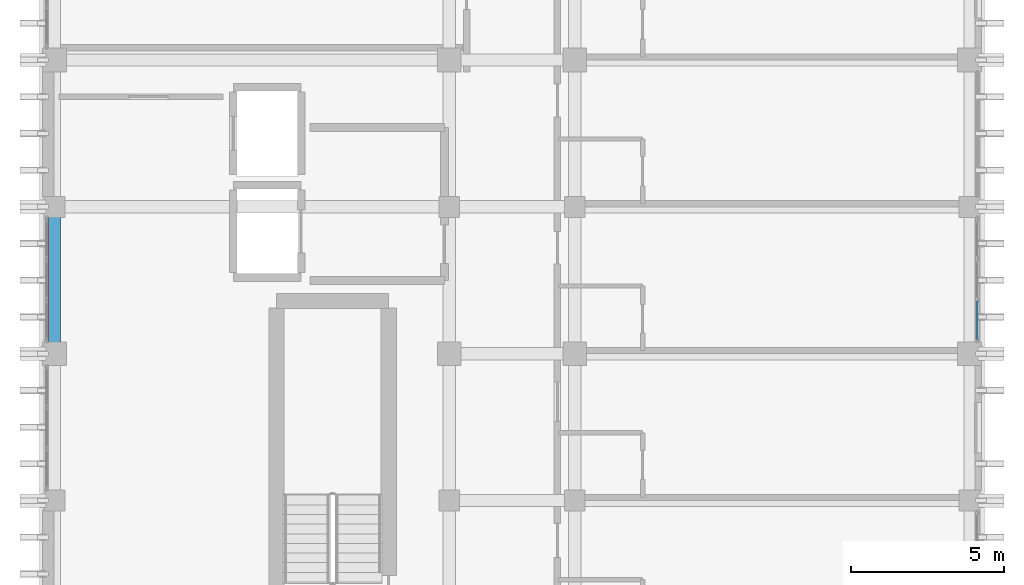
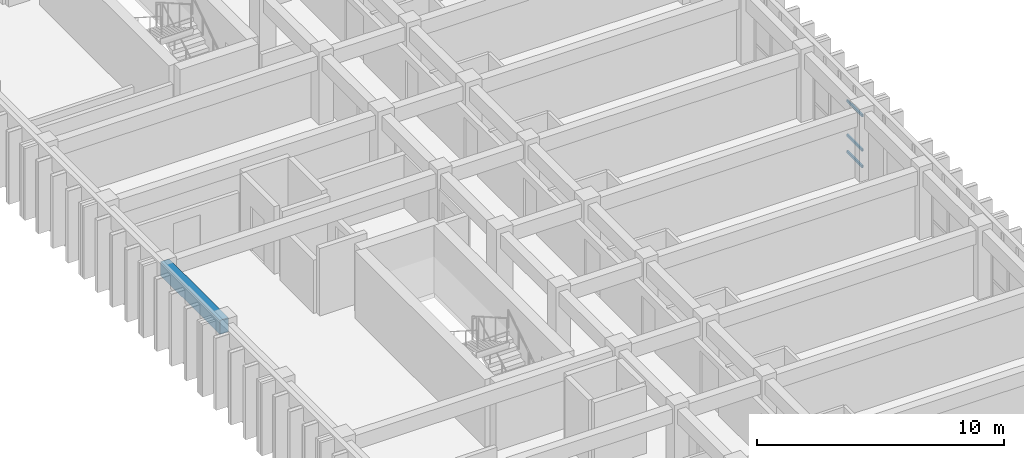
# One storey, part 33 of 68: 3 members, 1 beam, 1 element without a shape of its own.
"""IFC4 building model written with IfcOpenShell, lengths in metres."""

from ifc_helpers import new_model, si_unit, direction, frame, origin, origin_2d, place, context, subcontext, project, spatial, rectangle, hollow_rectangle, extrude, material, layer, layer_set, material_profile, profile_set, type_object, element, aggregate, save


model = new_model("IFC4")

# Units and contexts
model_context = context("Model", 3, precision=1e-05, world=origin(), true_north=direction((0.0, 1.0)))
body_context = subcontext(model_context, "Body", "Model", "MODEL_VIEW")
ifc_project = project(units=[si_unit("LENGTHUNIT", "METRE"), si_unit("AREAUNIT", "SQUARE_METRE"), si_unit("VOLUMEUNIT", "CUBIC_METRE"), si_unit("PLANEANGLEUNIT", "RADIAN"), si_unit("MASSUNIT", "GRAM", prefix="KILO")], contexts=[model_context])

# Site, building, storey
site_placement = place(None, origin())
site = spatial("IfcSite", under=ifc_project, at=site_placement, CompositionType="ELEMENT")
building_placement = place(site_placement, origin())
building = spatial("IfcBuilding", under=site, at=building_placement, Name="Nakhvara Creek Congress Hotel", CompositionType="ELEMENT")
storey_placement = place(building_placement, frame((0.0, 0.0, 24.60009765625)))
storey = spatial("IfcBuildingStorey", under=building, at=storey_placement, Name="L05", CompositionType="ELEMENT", Elevation=24.60009765625)

# Beam
ifc_material_1 = material(Name="Concrete C40/50", Category="concrete")
ifc_material_profile_1 = material_profile(ifc_material_1, rectangle(XDim=0.39990234375, YDim=0.699951171875, at=origin_2d()), Name="RC-BM 400x700", Category="LoadBearing")
ifc_profile_set_1 = profile_set([ifc_material_profile_1], Name="Concrete C40/50")
beam_type = type_object("IfcBeamType", Name="BM-RC-400X700", PredefinedType="BEAM", material=ifc_profile_set_1)
beam_placement = place(storey_placement, frame((149.449951171875, 86.39990234375, 2.989990234375), z_axis=(0.0, 1.0, 0.0), x_axis=(-1.0, 0.0, 0.0)))
element("IfcBeam", 1, at=beam_placement, inside=storey, type_object=beam_type, Name="Beam B05-L05-2076", PredefinedType="BEAM", context=body_context, shape_type="SweptSolid", body=[
    extrude(rectangle(XDim=0.39990234375, YDim=0.699951171875, at=origin_2d()), origin(), (0.0, 0.0, 1.0), 4.800048828125),
])

# Curtain wall, members
ifc_material_2 = material(Name="Bronze-anodised aluminium AW-6063-T6 and double-silver low-E glass", Category="aluminium")
ifc_layer = layer(ifc_material_2, 0.199951171875)
ifc_layer_set = layer_set([ifc_layer], Name="Bronze-anodised aluminium AW-6063-T6 and double-silver low-E glass")
curtain_wall_type = type_object("IfcCurtainWallType", Name="CW-HTL-UNIT", PredefinedType="USERDEFINED", material=ifc_layer_set)
curtain_wall_placement = place(storey_placement, origin())
curtain_wall = element("IfcCurtainWall", 2, at=curtain_wall_placement, inside=storey, type_object=curtain_wall_type, Name="Curtain Wall CW218", ObjectType="UNITISED", PredefinedType="USERDEFINED")
ifc_material_3 = material(Name="Bronze-anodised aluminium AW-6063-T6", Category="aluminium")
ifc_material_profile_2 = material_profile(ifc_material_3, hollow_rectangle(XDim=0.06494140625, YDim=0.1201171875, WallThickness=0.00390625, at=origin_2d()), Name="ALU-TRAN 65x120x4", Category="LoadBearing")
ifc_profile_set_2 = profile_set([ifc_material_profile_2], Name="Bronze-anodised aluminium AW-6063-T6")
member_type = type_object("IfcMemberType", Name="CW-TRAN-120", PredefinedType="USERDEFINED", material=ifc_profile_set_2)
member_1_placement = place(storey_placement, frame((179.60009765625, 88.119140625, 0.032470703125), z_axis=(0.0, -1.0, 0.0), x_axis=(1.0, 0.0, 0.0)))
member_1 = element("IfcMember", 3, at=member_1_placement, type_object=member_type, Name="CW218 transom 3.1", ObjectType="TRANSOM", PredefinedType="USERDEFINED", context=body_context, shape_type="SweptSolid", body=[
    extrude(hollow_rectangle(XDim=0.06494140625, YDim=0.1201171875, WallThickness=0.00390625, at=origin_2d()), origin(), (0.0, 0.0, 1.0), 1.2490234375),
])
member_2_placement = place(storey_placement, frame((179.60009765625, 88.119140625, 0.849853515625), z_axis=(0.0, -1.0, 0.0), x_axis=(1.0, 0.0, 0.0)))
member_2 = element("IfcMember", 4, at=member_2_placement, type_object=member_type, Name="CW218 transom 3.2", ObjectType="TRANSOM", PredefinedType="USERDEFINED", context=body_context, shape_type="SweptSolid", body=[
    extrude(hollow_rectangle(XDim=0.06494140625, YDim=0.1201171875, WallThickness=0.00390625, at=origin_2d()), origin(), (0.0, 0.0, 1.0), 1.2490234375),
])
member_3_placement = place(storey_placement, frame((179.60009765625, 88.119140625, 2.54931640625), z_axis=(0.0, -1.0, 0.0), x_axis=(1.0, 0.0, 0.0)))
member_3 = element("IfcMember", 5, at=member_3_placement, type_object=member_type, Name="CW218 transom 3.3", ObjectType="TRANSOM", PredefinedType="USERDEFINED", context=body_context, shape_type="SweptSolid", body=[
    extrude(hollow_rectangle(XDim=0.06494140625, YDim=0.1201171875, WallThickness=0.00390625, at=origin_2d()), origin(), (0.0, 0.0, 1.0), 1.2490234375),
])
aggregate(curtain_wall, [member_1, member_2, member_3])

save(model, "model.ifc")
